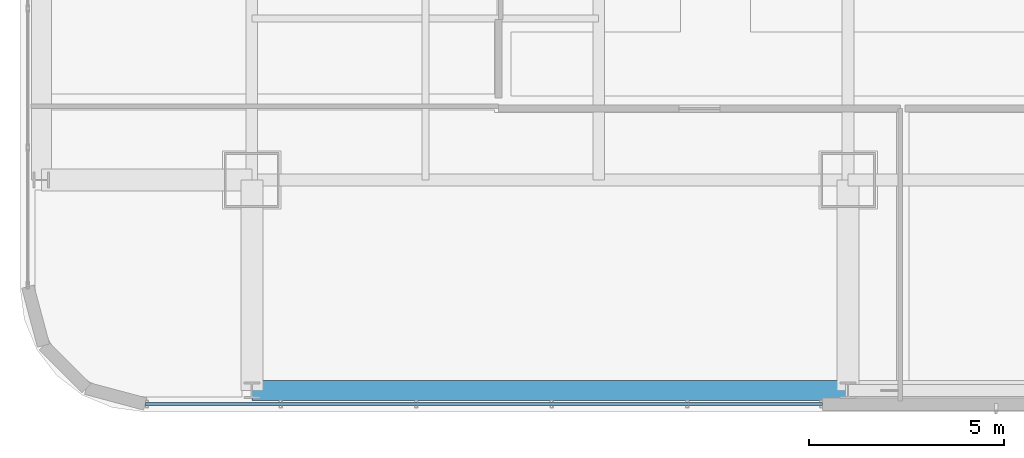
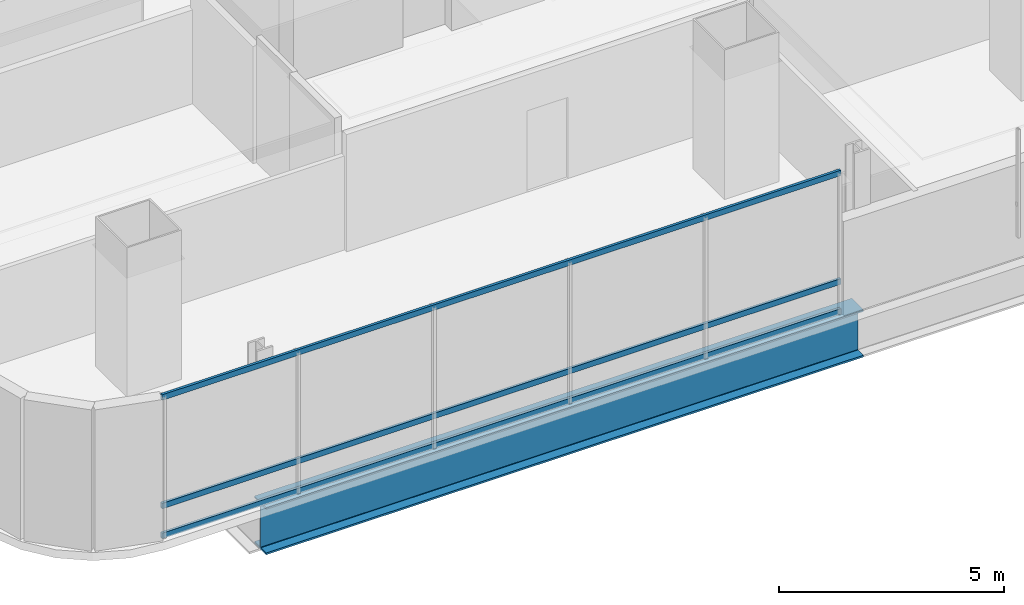
# One storey, part 3 of 38: 3 members, 1 beam, 1 element without a shape of its own.
"""IFC4 building model written with IfcOpenShell, lengths in metres."""

from ifc_helpers import new_model, si_unit, direction, frame, origin, origin_2d, place, context, subcontext, project, spatial, hollow_rectangle, i_section, extrude, material, material_profile, profile_set, type_object, element, aggregate, save


model = new_model("IFC4")

# Units and contexts
model_context = context("Model", 3, precision=1e-05, world=origin(), true_north=direction((0.0, 1.0)))
body_context = subcontext(model_context, "Body", "Model", "MODEL_VIEW")
ifc_project = project(units=[si_unit("LENGTHUNIT", "METRE"), si_unit("AREAUNIT", "SQUARE_METRE"), si_unit("VOLUMEUNIT", "CUBIC_METRE"), si_unit("PLANEANGLEUNIT", "RADIAN"), si_unit("MASSUNIT", "GRAM", prefix="KILO")], contexts=[model_context])

# Site, building, storey
site_placement = place(None, origin())
site = spatial("IfcSite", under=ifc_project, at=site_placement, CompositionType="ELEMENT")
building_placement = place(site_placement, origin())
building = spatial("IfcBuilding", under=site, at=building_placement, Name="Punatoya Terracotta Tower", CompositionType="ELEMENT")
storey_placement = place(building_placement, frame((0.0, 0.0, 188.39990234375)))
storey = spatial("IfcBuildingStorey", under=building, at=storey_placement, Name="L44", CompositionType="ELEMENT", Elevation=188.39990234375)

# Beam
ifc_material_1 = material(Name="Steel S460", Category="steel")
ifc_material_profile_1 = material_profile(ifc_material_1, i_section(OverallWidth=0.52001953125, OverallDepth=1.280029296875, WebThickness=0.031982421875, FlangeThickness=0.050048828125, FilletRadius=0.01806640625, at=origin_2d()))
ifc_profile_set_1 = profile_set([ifc_material_profile_1], Name="Steel S460")
beam_type = type_object("IfcBeamType", Name="BM-TG-NCK", PredefinedType="BEAM", material=ifc_profile_set_1)
beam_placement = place(storey_placement, frame((-19.10009765625, -22.89990234375, -0.85986328125), z_axis=(1.0, 0.0, 0.0), x_axis=(0.0, 1.0, 0.0)))
element("IfcBeam", 1, at=beam_placement, inside=storey, type_object=beam_type, Name="BM-L44-PER-S1", PredefinedType="BEAM", context=body_context, shape_type="SweptSolid", body=[
    extrude(i_section(OverallWidth=0.52001953125, OverallDepth=1.280029296875, WebThickness=0.031982421875, FlangeThickness=0.050048828125, FilletRadius=0.01806640625, at=origin_2d()), origin(), (0.0, 0.0, 1.0), 15.300048828125),
])

# Curtain wall, members
ifc_material_2 = material(Name="Aluminium 6063-T6 + Double Low-E Glass", Category="aluminium")
curtain_wall_type = type_object("IfcCurtainWallType", Name="CW-M2", PredefinedType="NOTDEFINED", material=ifc_material_2)
curtain_wall_placement = place(storey_placement, origin())
curtain_wall = element("IfcCurtainWall", 2, at=curtain_wall_placement, inside=storey, type_object=curtain_wall_type, Name="L44 Curtain Wall CW-L44-S01-1", PredefinedType="NOTDEFINED")
ifc_material_3 = material(Name="Aluminium 6063-T6", Category="aluminium")
ifc_material_profile_2 = material_profile(ifc_material_3, hollow_rectangle(XDim=0.068115234375, YDim=0.14990234375, WallThickness=0.00390625, at=origin_2d()))
ifc_profile_set_2 = profile_set([ifc_material_profile_2], Name="Aluminium 6063-T6")
member_type = type_object("IfcMemberType", Name="CW-TRN-TYP", PredefinedType="USERDEFINED", material=ifc_profile_set_2)
member_1_placement = place(storey_placement, frame((-21.8369140625, -23.25, 0.0400390625), z_axis=(1.0, 0.0, 0.0), x_axis=(0.0, 1.0, 0.0)))
member_1 = element("IfcMember", 3, at=member_1_placement, type_object=member_type, Name="CW-L44-S01-1 Transom 1", ObjectType="TRANSOM", PredefinedType="USERDEFINED", context=body_context, shape_type="SweptSolid", body=[
    extrude(hollow_rectangle(XDim=0.068115234375, YDim=0.14990234375, WallThickness=0.00390625, at=origin_2d()), origin(), (0.0, 0.0, 1.0), 17.386962890625),
])
member_2_placement = place(storey_placement, frame((-21.8369140625, -23.25, 0.85009765625), z_axis=(1.0, 0.0, 0.0), x_axis=(0.0, 1.0, 0.0)))
member_2 = element("IfcMember", 4, at=member_2_placement, type_object=member_type, Name="CW-L44-S01-1 Transom 2", ObjectType="TRANSOM", PredefinedType="USERDEFINED", context=body_context, shape_type="SweptSolid", body=[
    extrude(hollow_rectangle(XDim=0.068115234375, YDim=0.14990234375, WallThickness=0.00390625, at=origin_2d()), origin(), (0.0, 0.0, 1.0), 17.386962890625),
])
member_3_placement = place(storey_placement, frame((-21.8369140625, -23.25, 3.7900390625), z_axis=(1.0, 0.0, 0.0), x_axis=(0.0, 1.0, 0.0)))
member_3 = element("IfcMember", 5, at=member_3_placement, type_object=member_type, Name="CW-L44-S01-1 Transom 3", ObjectType="TRANSOM", PredefinedType="USERDEFINED", context=body_context, shape_type="SweptSolid", body=[
    extrude(hollow_rectangle(XDim=0.068115234375, YDim=0.14990234375, WallThickness=0.00390625, at=origin_2d()), origin(), (0.0, 0.0, 1.0), 17.386962890625),
])
aggregate(curtain_wall, [member_1, member_2, member_3])

save(model, "model.ifc")
